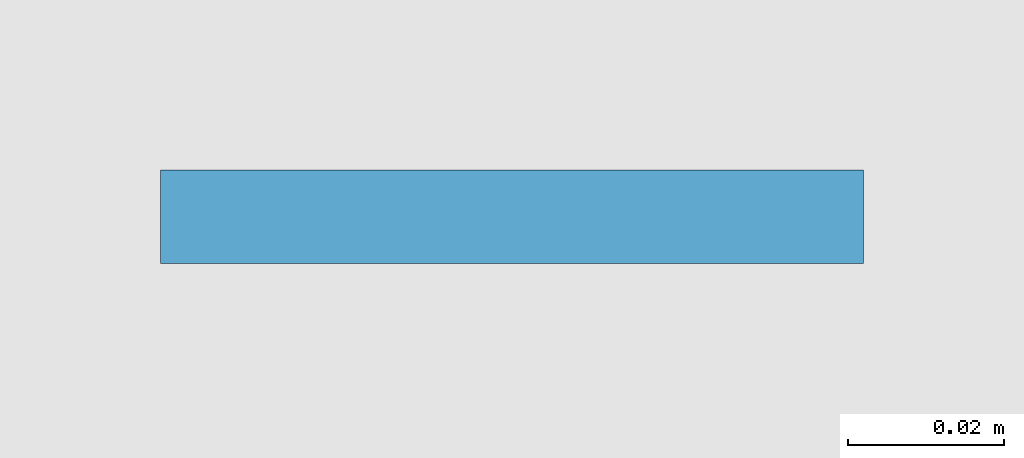
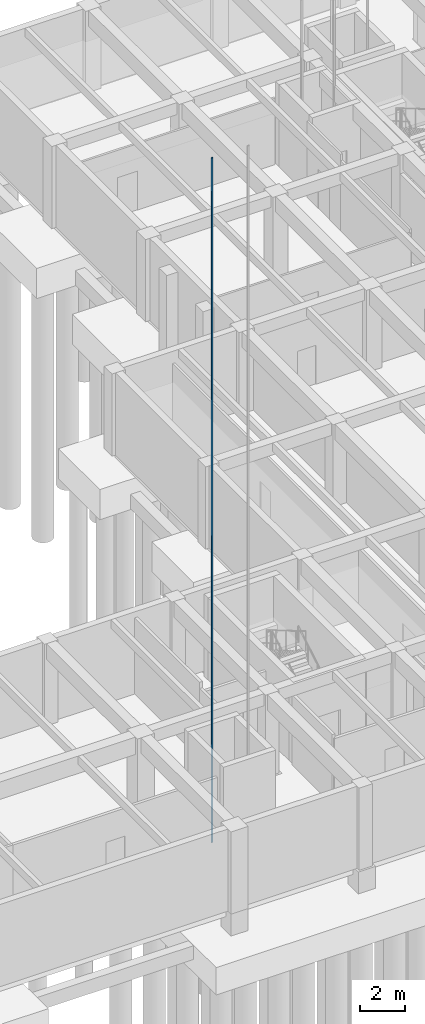
# One storey, part 14 of 44: 1 plate.
"""IFC4 building model written with IfcOpenShell, lengths in metres."""

from ifc_helpers import new_model, si_unit, direction, frame, origin, origin_2d, place, context, subcontext, project, spatial, rectangle, extrude, material, layer, layer_set, type_object, element, save


model = new_model("IFC4")

# Units and contexts
model_context = context("Model", 3, precision=1e-05, world=origin(), true_north=direction((0.0, 1.0)))
body_context = subcontext(model_context, "Body", "Model", "MODEL_VIEW")
ifc_project = project(units=[si_unit("LENGTHUNIT", "METRE"), si_unit("AREAUNIT", "SQUARE_METRE"), si_unit("VOLUMEUNIT", "CUBIC_METRE"), si_unit("PLANEANGLEUNIT", "RADIAN"), si_unit("MASSUNIT", "GRAM", prefix="KILO")], contexts=[model_context])

# Site, building, storey
site_placement = place(None, origin())
site = spatial("IfcSite", under=ifc_project, at=site_placement, CompositionType="ELEMENT")
building_placement = place(site_placement, origin())
building = spatial("IfcBuilding", under=site, at=building_placement, Name="Kolvaren Faculty of Natural Sciences", CompositionType="ELEMENT")
storey_placement = place(building_placement, frame((0.0, 0.0, -4.5)))
storey = spatial("IfcBuildingStorey", under=building, at=storey_placement, Name="B01", CompositionType="ELEMENT", Elevation=-4.5)

# Plate
ifc_material = material(Name="Structural steel EN 10025-2 S355J2", Category="steel")
ifc_layer = layer(ifc_material, 0.011962890625)
ifc_layer_set = layer_set([ifc_layer], Name="Structural steel EN 10025-2 S355J2")
plate_type = type_object("IfcPlateType", Name="LiftGuideRail_T89", PredefinedType="USERDEFINED", material=ifc_layer_set)
plate_placement = place(storey_placement, frame((121.2099609375, 31.25, -0.820068359375), z_axis=(0.0, 0.0, 1.0), x_axis=(1.0, 0.0, 0.0)))
element("IfcPlate", 1, at=plate_placement, inside=storey, type_object=plate_type, Name="Lift GL-1 steel guide rail 1", ObjectType="GUIDE RAIL", PredefinedType="USERDEFINED", context=body_context, shape_type="SweptSolid", body=[
    extrude(rectangle(XDim=0.090087890625, YDim=0.011962890625, at=origin_2d()), origin(), (0.0, 0.0, 1.0), 37.52001953125),
])

save(model, "model.ifc")
